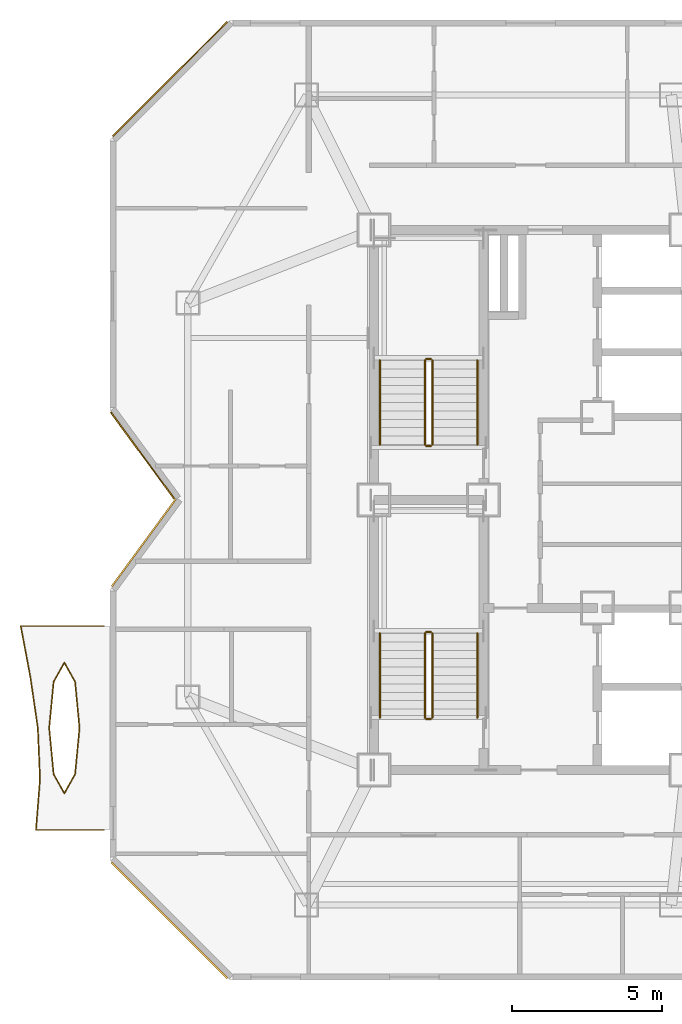
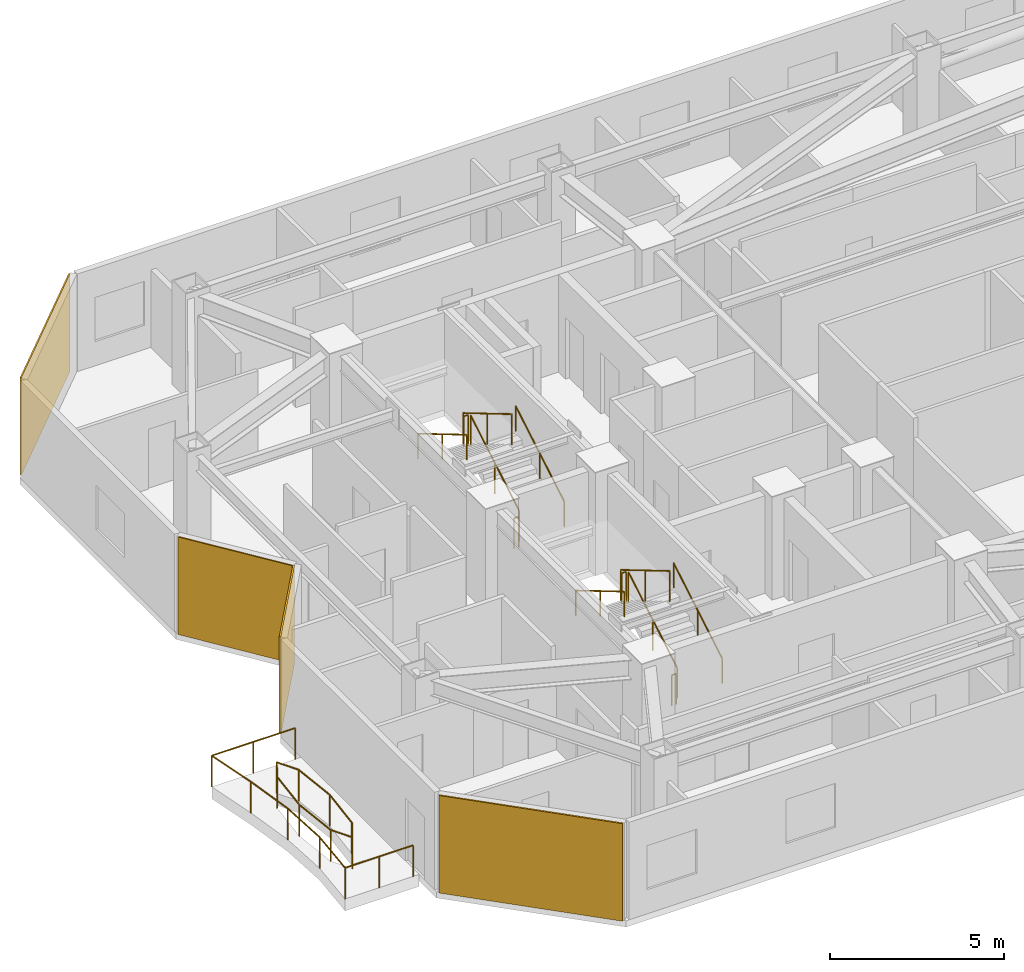
# One storey, part 9 of 10: 16 railings, 4 coverings.
"""IFC4 building model written with IfcOpenShell, lengths in metres."""

from ifc_helpers import new_model, si_unit, direction, frame, origin, origin_2d, place, context, subcontext, project, spatial, rectangle, circle, extrude, material, layer, layer_set, type_object, element, save


model = new_model("IFC4")

# Units and contexts
model_context = context("Model", 3, precision=1e-05, world=origin(), true_north=direction((0.0, 1.0)))
body_context = subcontext(model_context, "Body", "Model", "MODEL_VIEW")
ifc_project = project(units=[si_unit("LENGTHUNIT", "METRE"), si_unit("AREAUNIT", "SQUARE_METRE"), si_unit("VOLUMEUNIT", "CUBIC_METRE"), si_unit("PLANEANGLEUNIT", "RADIAN"), si_unit("MASSUNIT", "GRAM", prefix="KILO")], contexts=[model_context])

# Site, building, storey
site_placement = place(None, origin())
site = spatial("IfcSite", under=ifc_project, at=site_placement, CompositionType="ELEMENT")
building_placement = place(site_placement, origin())
building = spatial("IfcBuilding", under=site, at=building_placement, Name="Khamvora Tower", CompositionType="ELEMENT")
storey_placement = place(building_placement, frame((0.0, 0.0, 228.14990234375)))
storey = spatial("IfcBuildingStorey", under=building, at=storey_placement, Name="L58", CompositionType="ELEMENT", Elevation=228.14990234375)

# Coverings
ifc_material_1 = material(Name="Pale Anodised Aluminium Rainscreen Panel", Category="aluminium")
ifc_layer_1 = layer(ifc_material_1, 0.044921875)
ifc_layer_set_1 = layer_set([ifc_layer_1], Name="Pale Anodised Aluminium Rainscreen Panel")
covering_type_1 = type_object("IfcCoveringType", Name="COV-CLD-ALU", PredefinedType="CLADDING", material=ifc_layer_set_1)
covering_1_placement = place(storey_placement, frame((21.291015625, 29.48095703125, 0.0), z_axis=(0.0, 0.0, 1.0), x_axis=(-0.591257495158, 0.806482841987, 0.0)))
element("IfcCovering", 1, at=covering_1_placement, inside=storey, type_object=covering_type_1, Name="L58 chamfer rainscreen cladding 04.1", PredefinedType="CLADDING", context=body_context, shape_type="SweptSolid", body=[
    extrude(rectangle(XDim=3.574951171875, YDim=0.044921875, at=origin_2d()), origin(), (0.0, 0.0, 1.0), 3.429931640625),
])
covering_2_placement = place(storey_placement, frame((22.208984375, 42.034912109375, 0.0), z_axis=(0.0, 0.0, 1.0), x_axis=(0.707106781187, 0.707106781187, 0.0)))
element("IfcCovering", 2, at=covering_2_placement, inside=storey, type_object=covering_type_1, Name="L58 chamfer rainscreen cladding 06.1", PredefinedType="CLADDING", context=body_context, shape_type="SweptSolid", body=[
    extrude(rectangle(XDim=5.410888671875, YDim=0.044921875, at=origin_2d()), origin(), (0.0, 0.0, 1.0), 3.429931640625),
])
ifc_material_2 = material(Name="Anodised Bronze Aluminium Spandrel Panel", Category="aluminium")
ifc_layer_2 = layer(ifc_material_2, 0.054931640625)
ifc_layer_set_2 = layer_set([ifc_layer_2], Name="Anodised Bronze Aluminium Spandrel Panel")
covering_type_2 = type_object("IfcCoveringType", Name="COV-CLD-BRZ", PredefinedType="CLADDING", material=ifc_layer_set_2)
covering_3_placement = place(storey_placement, frame((22.18701171875, 13.987060546875, 0.0), z_axis=(0.0, 0.0, 1.0), x_axis=(-0.707106781187, 0.707106781187, 0.0)))
element("IfcCovering", 3, at=covering_3_placement, inside=storey, type_object=covering_type_2, Name="L58 chamfer rainscreen cladding 01.1", PredefinedType="CLADDING", context=body_context, shape_type="SweptSolid", body=[
    extrude(rectangle(XDim=5.472900390625, YDim=0.054931640625, at=origin_2d()), origin(), (0.0, 0.0, 1.0), 3.429931640625),
])
covering_4_placement = place(storey_placement, frame((21.3310546875, 26.572998046875, 0.0), z_axis=(0.0, 0.0, 1.0), x_axis=(0.591387023888, 0.806387864478, 0.0)))
element("IfcCovering", 4, at=covering_4_placement, inside=storey, type_object=covering_type_2, Name="L58 chamfer rainscreen cladding 03.1", PredefinedType="CLADDING", context=body_context, shape_type="SweptSolid", body=[
    extrude(rectangle(XDim=3.612060546875, YDim=0.054931640625, at=origin_2d()), origin(), (0.0, 0.0, 1.0), 3.429931640625),
])

# Railings
ifc_material_3 = material(Name="Stainless Steel 316 and Laminated Glass", Category="steel")
railing_type_1 = type_object("IfcRailingType", Name="RAL-GAL-1120", PredefinedType="GUARDRAIL", material=ifc_material_3)
railing_1_placement = place(storey_placement, frame((20.0, 17.0, 0.0)))
element("IfcRailing", 5, at=railing_1_placement, inside=storey, type_object=railing_type_1, Name="L58 lens gallery south perimeter guardrail WL1", PredefinedType="GUARDRAIL", context=body_context, shape_type="SweptSolid", body=[
    extrude(circle(Radius=0.02392578125, at=origin_2d()), frame((0.0, 0.0, 1.09619140625), z_axis=(-1.0, 0.0, 0.0), x_axis=(0.0, -1.0, 0.0)), (0.0, 0.0, 1.0), 2.262939453125),
    extrude(circle(Radius=0.02392578125, at=origin_2d()), frame((-2.262939453125, 0.0, 1.09619140625), z_axis=(0.079170498721, 0.996861089687, 0.0), x_axis=(-0.996861089687, 0.079170498721, 0.0)), (0.0, 0.0, 1.0), 1.705322265625),
    extrude(circle(Radius=0.02392578125, at=origin_2d()), frame((-2.1279296875, 1.699951171875, 1.09619140625), z_axis=(-0.04290172481, 0.999079297157, 0.0), x_axis=(-0.999079297157, -0.04290172481, 0.0)), (0.0, 0.0, 1.0), 1.701416015625),
    extrude(circle(Radius=0.02099609375, at=origin_2d()), origin(), (0.0, 0.0, 1.0), 1.072021484375),
    extrude(circle(Radius=0.02099609375, at=origin_2d()), frame((-1.13134765625, 0.0, 0.0)), (0.0, 0.0, 1.0), 1.072021484375),
    extrude(circle(Radius=0.02099609375, at=origin_2d()), frame((-2.262939453125, 0.0, 0.0)), (0.0, 0.0, 1.0), 1.072021484375),
    extrude(circle(Radius=0.02099609375, at=origin_2d()), frame((-2.1279296875, 1.699951171875, 0.0)), (0.0, 0.0, 1.0), 1.072021484375),
    extrude(circle(Radius=0.02099609375, at=origin_2d()), frame((-2.200927734375, 3.39990234375, 0.0)), (0.0, 0.0, 1.0), 1.072021484375),
])
railing_2_placement = place(storey_placement, frame((17.799072265625, 20.39990234375, 0.0)))
element("IfcRailing", 6, at=railing_2_placement, inside=storey, type_object=railing_type_1, Name="L58 lens gallery north perimeter guardrail WL1", PredefinedType="GUARDRAIL", context=body_context, shape_type="SweptSolid", body=[
    extrude(circle(Radius=0.02392578125, at=origin_2d()), frame((0.0, 0.0, 1.09619140625), z_axis=(-0.144921316271, 0.989443182851, 0.0), x_axis=(-0.989443182851, -0.144921316271, 0.0)), (0.0, 0.0, 1.0), 1.71826171875),
    extrude(circle(Radius=0.02392578125, at=origin_2d()), frame((-0.2490234375, 1.7001953125, 1.09619140625), z_axis=(-0.185029848279, 0.982732901274, 0.0), x_axis=(-0.982732901274, -0.185029848279, 0.0)), (0.0, 0.0, 1.0), 1.729736328125),
    extrude(circle(Radius=0.02392578125, at=origin_2d()), frame((-0.569091796875, 3.400146484375, 1.09619140625), z_axis=(1.0, 0.0, 0.0), x_axis=(0.0, 1.0, 0.0)), (0.0, 0.0, 1.0), 2.77001953125),
    extrude(circle(Radius=0.02099609375, at=origin_2d()), origin(), (0.0, 0.0, 1.0), 1.072021484375),
    extrude(circle(Radius=0.02099609375, at=origin_2d()), frame((-0.2490234375, 1.7001953125, 0.0)), (0.0, 0.0, 1.0), 1.072021484375),
    extrude(circle(Radius=0.02099609375, at=origin_2d()), frame((-0.569091796875, 3.400146484375, 0.0)), (0.0, 0.0, 1.0), 1.072021484375),
    extrude(circle(Radius=0.02099609375, at=origin_2d()), frame((0.81591796875, 3.400146484375, 0.0)), (0.0, 0.0, 1.0), 1.072021484375),
    extrude(circle(Radius=0.02099609375, at=origin_2d()), frame((2.200927734375, 3.400146484375, 0.0)), (0.0, 0.0, 1.0), 1.072021484375),
])
railing_3_placement = place(storey_placement, frame((19.18896484375, 20.39990234375, 0.0)))
element("IfcRailing", 7, at=railing_3_placement, inside=storey, type_object=railing_type_1, Name="L58 lens gallery void guardrail WL1A", PredefinedType="GUARDRAIL", context=body_context, shape_type="SweptSolid", body=[
    extrude(circle(Radius=0.02392578125, at=origin_2d()), frame((0.0, 0.0, 1.09619140625), z_axis=(-0.095688336612, 0.995411343233, 0.0), x_axis=(-0.995411343233, -0.095688336612, 0.0)), (0.0, 0.0, 1.0), 1.546142578125),
    extrude(circle(Radius=0.02392578125, at=origin_2d()), frame((-0.14794921875, 1.5390625, 1.09619140625), z_axis=(-0.487828856646, 0.872939291488, 0.0), x_axis=(-0.872939291488, -0.487828856646, 0.0)), (0.0, 0.0, 1.0), 0.729736328125),
    extrude(circle(Radius=0.02392578125, at=origin_2d()), frame((-0.50390625, 2.176025390625, 1.09619140625), z_axis=(-0.487828856646, -0.872939291488, 0.0), x_axis=(0.872939291488, -0.487828856646, 0.0)), (0.0, 0.0, 1.0), 0.729736328125),
    extrude(circle(Radius=0.02392578125, at=origin_2d()), frame((-0.85986328125, 1.5390625, 1.09619140625), z_axis=(-0.095844788822, -0.99539629116, 0.0), x_axis=(0.99539629116, -0.095844788822, 0.0)), (0.0, 0.0, 1.0), 1.546142578125),
    extrude(circle(Radius=0.02099609375, at=origin_2d()), origin(), (0.0, 0.0, 1.0), 1.072021484375),
    extrude(circle(Radius=0.02099609375, at=origin_2d()), frame((-0.14794921875, 1.5390625, 0.0)), (0.0, 0.0, 1.0), 1.072021484375),
    extrude(circle(Radius=0.02099609375, at=origin_2d()), frame((-0.50390625, 2.176025390625, 0.0)), (0.0, 0.0, 1.0), 1.072021484375),
    extrude(circle(Radius=0.02099609375, at=origin_2d()), frame((-0.85986328125, 1.5390625, 0.0)), (0.0, 0.0, 1.0), 1.072021484375),
    extrude(circle(Radius=0.02099609375, at=origin_2d()), frame((-1.008056640625, 0.0, 0.0)), (0.0, 0.0, 1.0), 1.072021484375),
])
railing_4_placement = place(storey_placement, frame((18.180908203125, 20.39990234375, 0.0)))
element("IfcRailing", 8, at=railing_4_placement, inside=storey, type_object=railing_type_1, Name="L58 lens gallery void guardrail WL1B", PredefinedType="GUARDRAIL", context=body_context, shape_type="SweptSolid", body=[
    extrude(circle(Radius=0.02392578125, at=origin_2d()), frame((0.0, 0.0, 1.09619140625), z_axis=(0.095859855319, -0.995394840321, 0.0), x_axis=(0.995394840321, 0.095859855319, 0.0)), (0.0, 0.0, 1.0), 1.5458984375),
    extrude(circle(Radius=0.02392578125, at=origin_2d()), frame((0.148193359375, -1.538818359375, 1.09619140625), z_axis=(0.487828856646, -0.872939291488, 0.0), x_axis=(0.872939291488, 0.487828856646, 0.0)), (0.0, 0.0, 1.0), 0.729736328125),
    extrude(circle(Radius=0.02392578125, at=origin_2d()), frame((0.504150390625, -2.17578125, 1.09619140625), z_axis=(0.487828856646, 0.872939291488, 0.0), x_axis=(-0.872939291488, 0.487828856646, 0.0)), (0.0, 0.0, 1.0), 0.729736328125),
    extrude(circle(Radius=0.02392578125, at=origin_2d()), frame((0.860107421875, -1.538818359375, 1.09619140625), z_axis=(0.09570337897, 0.995409897105, 0.0), x_axis=(-0.995409897105, 0.09570337897, 0.0)), (0.0, 0.0, 1.0), 1.5458984375),
    extrude(circle(Radius=0.02099609375, at=origin_2d()), origin(), (0.0, 0.0, 1.0), 1.072021484375),
    extrude(circle(Radius=0.02099609375, at=origin_2d()), frame((0.148193359375, -1.538818359375, 0.0)), (0.0, 0.0, 1.0), 1.072021484375),
    extrude(circle(Radius=0.02099609375, at=origin_2d()), frame((0.504150390625, -2.17578125, 0.0)), (0.0, 0.0, 1.0), 1.072021484375),
    extrude(circle(Radius=0.02099609375, at=origin_2d()), frame((0.860107421875, -1.538818359375, 0.0)), (0.0, 0.0, 1.0), 1.072021484375),
    extrude(circle(Radius=0.02099609375, at=origin_2d()), frame((1.008056640625, 0.0, 0.0)), (0.0, 0.0, 1.0), 1.072021484375),
])
ifc_material_4 = material(Name="Brushed Stainless Steel 316", Category="steel")
railing_type_2 = type_object("IfcRailingType", Name="RAL-HDR-920", PredefinedType="HANDRAIL", material=ifc_material_4)
railing_5_placement = place(storey_placement, frame((32.449951171875, 20.75, 0.166015625)))
element("IfcRailing", 9, at=railing_5_placement, inside=storey, type_object=railing_type_2, Name="L58 ST-01 stair handrail 1", PredefinedType="HANDRAIL", context=body_context, shape_type="SweptSolid", body=[
    extrude(circle(Radius=0.02392578125, at=origin_2d()), frame((0.0, 0.0, 0.8759765625), z_axis=(0.0, 0.860306154799, 0.50977771628), x_axis=(-1.0, 0.0, 0.0)), (0.0, 0.0, 1.0), 3.254638671875),
    extrude(circle(Radius=0.02099609375, at=origin_2d()), origin(), (0.0, 0.0, 1.0), 0.851806640625),
    extrude(circle(Radius=0.02099609375, at=origin_2d()), frame((0.0, 1.39990234375, 0.82958984375)), (0.0, 0.0, 1.0), 0.851806640625),
    extrude(circle(Radius=0.02099609375, at=origin_2d()), frame((0.0, 2.800048828125, 1.6591796875)), (0.0, 0.0, 1.0), 0.851806640625),
])
railing_6_placement = place(storey_placement, frame((29.199951171875, 23.550048828125, 1.990966796875)))
element("IfcRailing", 10, at=railing_6_placement, inside=storey, type_object=railing_type_2, Name="L58 ST-01 stair handrail 2", PredefinedType="HANDRAIL", context=body_context, shape_type="SweptSolid", body=[
    extrude(circle(Radius=0.02392578125, at=origin_2d()), frame((0.0, 0.0, 0.8759765625), z_axis=(0.0, -0.860306154799, 0.50977771628), x_axis=(1.0, 0.0, 0.0)), (0.0, 0.0, 1.0), 3.254638671875),
    extrude(circle(Radius=0.02099609375, at=origin_2d()), origin(), (0.0, 0.0, 1.0), 0.851806640625),
    extrude(circle(Radius=0.02099609375, at=origin_2d()), frame((0.0, -1.39990234375, 0.82958984375)), (0.0, 0.0, 1.0), 0.851806640625),
    extrude(circle(Radius=0.02099609375, at=origin_2d()), frame((0.0, -2.800048828125, 1.6591796875)), (0.0, 0.0, 1.0), 0.851806640625),
])
railing_7_placement = place(storey_placement, frame((32.449951171875, 29.85009765625, 0.166015625)))
element("IfcRailing", 11, at=railing_7_placement, inside=storey, type_object=railing_type_2, Name="L58 ST-02 stair handrail 1", PredefinedType="HANDRAIL", context=body_context, shape_type="SweptSolid", body=[
    extrude(circle(Radius=0.02392578125, at=origin_2d()), frame((0.0, 0.0, 0.8759765625), z_axis=(0.0, 0.860286659441, 0.509810615413), x_axis=(-1.0, 0.0, 0.0)), (0.0, 0.0, 1.0), 3.25439453125),
    extrude(circle(Radius=0.02099609375, at=origin_2d()), origin(), (0.0, 0.0, 1.0), 0.851806640625),
    extrude(circle(Radius=0.02099609375, at=origin_2d()), frame((0.0, 1.39990234375, 0.82958984375)), (0.0, 0.0, 1.0), 0.851806640625),
    extrude(circle(Radius=0.02099609375, at=origin_2d()), frame((0.0, 2.7998046875, 1.6591796875)), (0.0, 0.0, 1.0), 0.851806640625),
])
railing_8_placement = place(storey_placement, frame((29.199951171875, 32.64990234375, 1.990966796875)))
element("IfcRailing", 12, at=railing_8_placement, inside=storey, type_object=railing_type_2, Name="L58 ST-02 stair handrail 2", PredefinedType="HANDRAIL", context=body_context, shape_type="SweptSolid", body=[
    extrude(circle(Radius=0.02392578125, at=origin_2d()), frame((0.0, 0.0, 0.8759765625), z_axis=(0.0, -0.860286659441, 0.509810615413), x_axis=(1.0, 0.0, 0.0)), (0.0, 0.0, 1.0), 3.25439453125),
    extrude(circle(Radius=0.02099609375, at=origin_2d()), origin(), (0.0, 0.0, 1.0), 0.851806640625),
    extrude(circle(Radius=0.02099609375, at=origin_2d()), frame((0.0, -1.39990234375, 0.82958984375)), (0.0, 0.0, 1.0), 0.851806640625),
    extrude(circle(Radius=0.02099609375, at=origin_2d()), frame((0.0, -2.7998046875, 1.6591796875)), (0.0, 0.0, 1.0), 0.851806640625),
])
ifc_material_5 = material(Name="Stainless Steel 316", Category="steel")
railing_type_3 = type_object("IfcRailingType", Name="RAL-STG-1100", PredefinedType="GUARDRAIL", material=ifc_material_5)
railing_9_placement = place(storey_placement, frame((30.949951171875, 20.75, 0.166015625)))
element("IfcRailing", 13, at=railing_9_placement, inside=storey, type_object=railing_type_3, Name="L58 ST-01 stair guard 1", PredefinedType="GUARDRAIL", context=body_context, shape_type="SweptSolid", body=[
    extrude(circle(Radius=0.02392578125, at=origin_2d()), frame((0.0, 0.0, 1.076171875), z_axis=(0.0, 0.860306154799, 0.50977771628), x_axis=(-1.0, 0.0, 0.0)), (0.0, 0.0, 1.0), 3.254638671875),
    extrude(circle(Radius=0.02099609375, at=origin_2d()), origin(), (0.0, 0.0, 1.0), 1.052001953125),
    extrude(circle(Radius=0.02099609375, at=origin_2d()), frame((0.0, 1.39990234375, 0.82958984375)), (0.0, 0.0, 1.0), 1.052001953125),
    extrude(circle(Radius=0.02099609375, at=origin_2d()), frame((0.0, 2.800048828125, 1.6591796875)), (0.0, 0.0, 1.0), 1.052001953125),
])
railing_10_placement = place(storey_placement, frame((30.89990234375, 23.60009765625, 1.8251953125)))
element("IfcRailing", 14, at=railing_10_placement, inside=storey, type_object=railing_type_3, Name="L58 ST-01 stair guard 2", PredefinedType="GUARDRAIL", context=body_context, shape_type="SweptSolid", body=[
    extrude(circle(Radius=0.02392578125, at=origin_2d()), frame((0.0, 0.0, 1.076171875), z_axis=(-1.0, 0.0, 0.0), x_axis=(0.0, -1.0, 0.0)), (0.0, 0.0, 1.0), 0.14990234375),
    extrude(circle(Radius=0.02099609375, at=origin_2d()), origin(), (0.0, 0.0, 1.0), 1.052001953125),
    extrude(circle(Radius=0.02099609375, at=origin_2d()), frame((-0.14990234375, 0.0, 0.0)), (0.0, 0.0, 1.0), 1.052001953125),
])
railing_11_placement = place(storey_placement, frame((30.699951171875, 23.550048828125, 1.990966796875)))
element("IfcRailing", 15, at=railing_11_placement, inside=storey, type_object=railing_type_3, Name="L58 ST-01 stair guard 3", PredefinedType="GUARDRAIL", context=body_context, shape_type="SweptSolid", body=[
    extrude(circle(Radius=0.02392578125, at=origin_2d()), frame((0.0, 0.0, 1.076171875), z_axis=(0.0, -0.860306154799, 0.50977771628), x_axis=(1.0, 0.0, 0.0)), (0.0, 0.0, 1.0), 3.254638671875),
    extrude(circle(Radius=0.02099609375, at=origin_2d()), origin(), (0.0, 0.0, 1.0), 1.052001953125),
    extrude(circle(Radius=0.02099609375, at=origin_2d()), frame((0.0, -1.39990234375, 0.82958984375)), (0.0, 0.0, 1.0), 1.052001953125),
    extrude(circle(Radius=0.02099609375, at=origin_2d()), frame((0.0, -2.800048828125, 1.6591796875)), (0.0, 0.0, 1.0), 1.052001953125),
])
railing_12_placement = place(storey_placement, frame((30.89990234375, 20.699951171875, 0.0)))
element("IfcRailing", 16, at=railing_12_placement, inside=storey, type_object=railing_type_3, Name="L58 ST-01 stair guard 4", PredefinedType="GUARDRAIL", context=body_context, shape_type="SweptSolid", body=[
    extrude(circle(Radius=0.02392578125, at=origin_2d()), frame((0.0, 0.0, 1.076171875), z_axis=(-1.0, 0.0, 0.0), x_axis=(0.0, -1.0, 0.0)), (0.0, 0.0, 1.0), 0.14990234375),
    extrude(circle(Radius=0.02099609375, at=origin_2d()), origin(), (0.0, 0.0, 1.0), 1.052001953125),
    extrude(circle(Radius=0.02099609375, at=origin_2d()), frame((-0.14990234375, 0.0, 0.0)), (0.0, 0.0, 1.0), 1.052001953125),
])
railing_13_placement = place(storey_placement, frame((30.949951171875, 29.85009765625, 0.166015625)))
element("IfcRailing", 17, at=railing_13_placement, inside=storey, type_object=railing_type_3, Name="L58 ST-02 stair guard 1", PredefinedType="GUARDRAIL", context=body_context, shape_type="SweptSolid", body=[
    extrude(circle(Radius=0.02392578125, at=origin_2d()), frame((0.0, 0.0, 1.076171875), z_axis=(0.0, 0.860286659441, 0.509810615413), x_axis=(-1.0, 0.0, 0.0)), (0.0, 0.0, 1.0), 3.25439453125),
    extrude(circle(Radius=0.02099609375, at=origin_2d()), origin(), (0.0, 0.0, 1.0), 1.052001953125),
    extrude(circle(Radius=0.02099609375, at=origin_2d()), frame((0.0, 1.39990234375, 0.82958984375)), (0.0, 0.0, 1.0), 1.052001953125),
    extrude(circle(Radius=0.02099609375, at=origin_2d()), frame((0.0, 2.7998046875, 1.6591796875)), (0.0, 0.0, 1.0), 1.052001953125),
])
railing_14_placement = place(storey_placement, frame((30.89990234375, 32.699951171875, 1.8251953125)))
element("IfcRailing", 18, at=railing_14_placement, inside=storey, type_object=railing_type_3, Name="L58 ST-02 stair guard 2", PredefinedType="GUARDRAIL", context=body_context, shape_type="SweptSolid", body=[
    extrude(circle(Radius=0.02392578125, at=origin_2d()), frame((0.0, 0.0, 1.076171875), z_axis=(-1.0, 0.0, 0.0), x_axis=(0.0, -1.0, 0.0)), (0.0, 0.0, 1.0), 0.14990234375),
    extrude(circle(Radius=0.02099609375, at=origin_2d()), origin(), (0.0, 0.0, 1.0), 1.052001953125),
    extrude(circle(Radius=0.02099609375, at=origin_2d()), frame((-0.14990234375, 0.0, 0.0)), (0.0, 0.0, 1.0), 1.052001953125),
])
railing_15_placement = place(storey_placement, frame((30.699951171875, 32.64990234375, 1.990966796875)))
element("IfcRailing", 19, at=railing_15_placement, inside=storey, type_object=railing_type_3, Name="L58 ST-02 stair guard 3", PredefinedType="GUARDRAIL", context=body_context, shape_type="SweptSolid", body=[
    extrude(circle(Radius=0.02392578125, at=origin_2d()), frame((0.0, 0.0, 1.076171875), z_axis=(0.0, -0.860286659441, 0.509810615413), x_axis=(1.0, 0.0, 0.0)), (0.0, 0.0, 1.0), 3.25439453125),
    extrude(circle(Radius=0.02099609375, at=origin_2d()), origin(), (0.0, 0.0, 1.0), 1.052001953125),
    extrude(circle(Radius=0.02099609375, at=origin_2d()), frame((0.0, -1.39990234375, 0.82958984375)), (0.0, 0.0, 1.0), 1.052001953125),
    extrude(circle(Radius=0.02099609375, at=origin_2d()), frame((0.0, -2.7998046875, 1.6591796875)), (0.0, 0.0, 1.0), 1.052001953125),
])
railing_16_placement = place(storey_placement, frame((30.89990234375, 29.800048828125, 0.0)))
element("IfcRailing", 20, at=railing_16_placement, inside=storey, type_object=railing_type_3, Name="L58 ST-02 stair guard 4", PredefinedType="GUARDRAIL", context=body_context, shape_type="SweptSolid", body=[
    extrude(circle(Radius=0.02392578125, at=origin_2d()), frame((0.0, 0.0, 1.076171875), z_axis=(-1.0, 0.0, 0.0), x_axis=(0.0, -1.0, 0.0)), (0.0, 0.0, 1.0), 0.14990234375),
    extrude(circle(Radius=0.02099609375, at=origin_2d()), origin(), (0.0, 0.0, 1.0), 1.052001953125),
    extrude(circle(Radius=0.02099609375, at=origin_2d()), frame((-0.14990234375, 0.0, 0.0)), (0.0, 0.0, 1.0), 1.052001953125),
])

save(model, "model.ifc")
